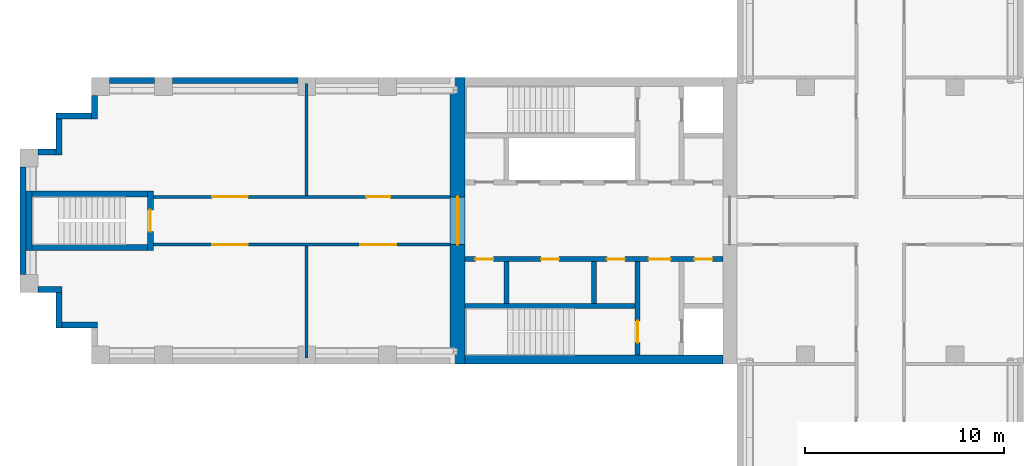
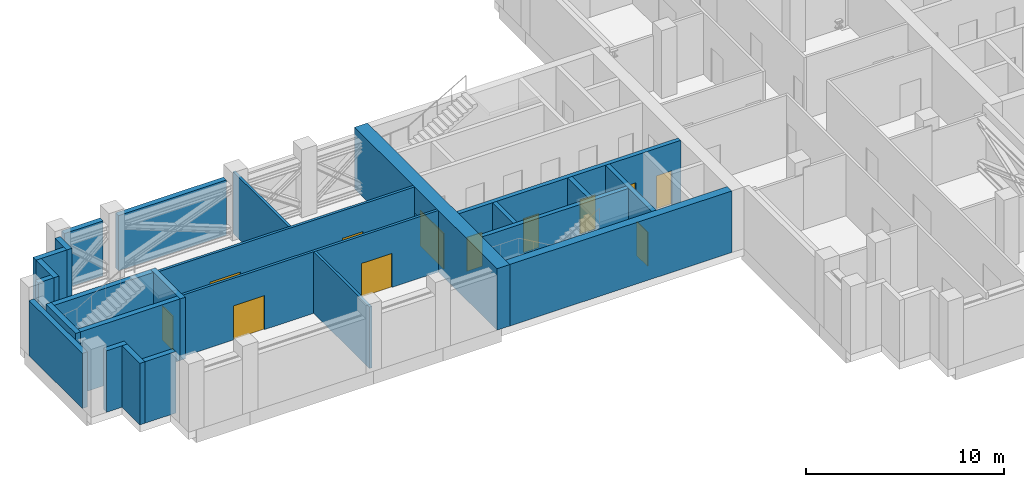
# One storey, part 3 of 9: 25 walls, 12 doors, 12 openings.
"""IFC4 building model written with IfcOpenShell, lengths in metres."""

from ifc_helpers import new_model, si_unit, direction, frame, frame_2d, origin, place, context, subcontext, project, spatial, rectangle, extrude, material, layer, layer_set, type_object, element, fill, save


model = new_model("IFC4")

# Units and contexts
model_context = context("Model", 3, precision=1e-05, world=origin(), true_north=direction((0.0, 1.0)))
body_context = subcontext(model_context, "Body", "Model", "MODEL_VIEW")
ifc_project = project(units=[si_unit("LENGTHUNIT", "METRE"), si_unit("AREAUNIT", "SQUARE_METRE"), si_unit("VOLUMEUNIT", "CUBIC_METRE"), si_unit("PLANEANGLEUNIT", "RADIAN"), si_unit("MASSUNIT", "GRAM", prefix="KILO")], contexts=[model_context])

# Site, building, storey
site_placement = place(None, origin())
site = spatial("IfcSite", under=ifc_project, at=site_placement, CompositionType="ELEMENT")
building_placement = place(site_placement, origin())
building = spatial("IfcBuilding", under=site, at=building_placement, Name="Fustian Cross Tower", CompositionType="ELEMENT")
storey_placement = place(building_placement, frame((0.0, 0.0, 162.300048828125)))
storey = spatial("IfcBuildingStorey", under=building, at=storey_placement, Name="L51", CompositionType="ELEMENT", Elevation=162.300048828125)

# Wall, openings, doors
ifc_material_1 = material(Name="Plasterboard on steel stud", Category="steel")
ifc_layer_1 = layer(ifc_material_1, 0.14990234375)
ifc_layer_set_1 = layer_set([ifc_layer_1], Name="Plasterboard on steel stud")
wall_type_1 = type_object("IfcWallType", Name="COMPARTMENT WALL 150 EI 60", PredefinedType="PARTITIONING", material=ifc_layer_set_1)
wall_1_placement = place(storey_placement, frame((-36.5, -1.199951171875, 0.0), z_axis=(0.0, 0.0, 1.0), x_axis=(1.0, 0.0, 0.0)))
wall_1 = element("IfcWall", 1, at=wall_1_placement, inside=storey, type_object=wall_type_1, Name="Partition 1", PredefinedType="PARTITIONING", context=body_context, shape_type="SweptSolid", body=[
    extrude(rectangle(XDim=14.89990234375, YDim=0.14990234375, at=frame_2d((7.449951171875, 0.0))), origin(), (0.0, 0.0, 1.0), 3.800048828125),
])
opening_1_placement = place(wall_1_placement, frame((10.39990234375, 0.0, 0.0)))
opening_1 = element("IfcOpeningElement", 2, at=opening_1_placement, cuts=wall_1, Name="Opening D23032", PredefinedType="OPENING", context=body_context, shape_type="SweptSolid", body=[
    extrude(rectangle(XDim=1.800048828125, YDim=2.10009765625, at=frame_2d((0.89990234375, 1.050048828125))), frame((0.0, 0.0849609375, 0.0), z_axis=(0.0, -1.0, 0.0), x_axis=(1.0, 0.0, 0.0)), (0.0, 0.0, 1.0), 0.169921875),
])
opening_2_placement = place(wall_1_placement, frame((2.949951171875, 0.0, 0.0)))
opening_2 = element("IfcOpeningElement", 3, at=opening_2_placement, cuts=wall_1, Name="Opening D23033", PredefinedType="OPENING", context=body_context, shape_type="SweptSolid", body=[
    extrude(rectangle(XDim=1.800048828125, YDim=2.10009765625, at=frame_2d((0.89990234375, 1.050048828125))), frame((0.0, 0.0849609375, 0.0), z_axis=(0.0, -1.0, 0.0), x_axis=(1.0, 0.0, 0.0)), (0.0, 0.0, 1.0), 0.169921875),
])
ifc_material_2 = material(Name="Timber fire door set", Category="wood")
door_type_1 = type_object("IfcDoorType", Name="FIRE DOUBLE DOOR 1800 FD60S", OperationType="DOUBLE_DOOR_DOUBLE_SWING", PredefinedType="DOOR", material=ifc_material_2)
door_1_placement = place(opening_1_placement, origin())
door_1 = element("IfcDoor", 4, at=door_1_placement, inside=storey, type_object=door_type_1, Name="Door D23032", OperationType="DOUBLE_DOOR_DOUBLE_SWING", OverallHeight=2.10009765625, OverallWidth=1.800048828125, PredefinedType="DOOR", context=body_context, shape_type="SweptSolid", body=[
    extrude(rectangle(XDim=1.800048828125, YDim=2.10009765625, at=frame_2d((0.89990234375, 1.050048828125))), frame((0.0, 0.02490234375, 0.0), z_axis=(0.0, -1.0, 0.0), x_axis=(1.0, 0.0, 0.0)), (0.0, 0.0, 1.0), 0.050048828125),
])
fill(opening_1, door_1)
door_2_placement = place(opening_2_placement, origin())
door_2 = element("IfcDoor", 5, at=door_2_placement, inside=storey, type_object=door_type_1, Name="Door D23033", OperationType="DOUBLE_DOOR_DOUBLE_SWING", OverallHeight=2.10009765625, OverallWidth=1.800048828125, PredefinedType="DOOR", context=body_context, shape_type="SweptSolid", body=[
    extrude(rectangle(XDim=1.800048828125, YDim=2.10009765625, at=frame_2d((0.89990234375, 1.050048828125))), frame((0.0, 0.02490234375, 0.0), z_axis=(0.0, -1.0, 0.0), x_axis=(1.0, 0.0, 0.0)), (0.0, 0.0, 1.0), 0.050048828125),
])
fill(opening_2, door_2)

wall_2_placement = place(storey_placement, frame((-36.5, 1.199951171875, 0.0), z_axis=(0.0, 0.0, 1.0), x_axis=(1.0, 0.0, 0.0)))
wall_2 = element("IfcWall", 6, at=wall_2_placement, inside=storey, type_object=wall_type_1, Name="Partition 2", PredefinedType="PARTITIONING", context=body_context, shape_type="SweptSolid", body=[
    extrude(rectangle(XDim=14.89990234375, YDim=0.14990234375, at=frame_2d((7.449951171875, 0.0))), origin(), (0.0, 0.0, 1.0), 3.800048828125),
])
opening_3_placement = place(wall_2_placement, frame((10.699951171875, 0.0, 0.0)))
opening_3 = element("IfcOpeningElement", 7, at=opening_3_placement, cuts=wall_2, Name="Opening D23034", PredefinedType="OPENING", context=body_context, shape_type="SweptSolid", body=[
    extrude(rectangle(XDim=1.199951171875, YDim=2.10009765625, at=frame_2d((0.60009765625, 1.050048828125))), frame((0.0, 0.0849609375, 0.0), z_axis=(0.0, -1.0, 0.0), x_axis=(1.0, 0.0, 0.0)), (0.0, 0.0, 1.0), 0.169921875),
])
opening_4_placement = place(wall_2_placement, frame((2.949951171875, 0.0, 0.0)))
opening_4 = element("IfcOpeningElement", 8, at=opening_4_placement, cuts=wall_2, Name="Opening D23035", PredefinedType="OPENING", context=body_context, shape_type="SweptSolid", body=[
    extrude(rectangle(XDim=1.800048828125, YDim=2.10009765625, at=frame_2d((0.89990234375, 1.050048828125))), frame((0.0, 0.0849609375, 0.0), z_axis=(0.0, -1.0, 0.0), x_axis=(1.0, 0.0, 0.0)), (0.0, 0.0, 1.0), 0.169921875),
])
door_3_placement = place(opening_4_placement, frame((1.800048828125, 0.0, 0.0), z_axis=(0.0, 0.0, 1.0), x_axis=(-1.0, 0.0, 0.0)))
door_3 = element("IfcDoor", 9, at=door_3_placement, inside=storey, type_object=door_type_1, Name="Door D23035", OperationType="DOUBLE_DOOR_DOUBLE_SWING", OverallHeight=2.10009765625, OverallWidth=1.800048828125, PredefinedType="DOOR", context=body_context, shape_type="SweptSolid", body=[
    extrude(rectangle(XDim=1.800048828125, YDim=2.10009765625, at=frame_2d((0.89990234375, 1.050048828125))), frame((0.0, 0.02490234375, 0.0), z_axis=(0.0, -1.0, 0.0), x_axis=(1.0, 0.0, 0.0)), (0.0, 0.0, 1.0), 0.050048828125),
])
fill(opening_4, door_3)
ifc_material_3 = material(Name="Timber fire door set", Category="wood")
door_type_2 = type_object("IfcDoorType", Name="FIRE SWING DOOR 1200 FD60S", OperationType="SINGLE_SWING_LEFT", PredefinedType="DOOR", material=ifc_material_3)
door_4_placement = place(opening_3_placement, origin())
door_4 = element("IfcDoor", 10, at=door_4_placement, inside=storey, type_object=door_type_2, Name="Door D23034", OperationType="SINGLE_SWING_LEFT", OverallHeight=2.10009765625, OverallWidth=1.199951171875, PredefinedType="DOOR", context=body_context, shape_type="SweptSolid", body=[
    extrude(rectangle(XDim=1.199951171875, YDim=2.10009765625, at=frame_2d((0.60009765625, 1.050048828125))), frame((0.0, 0.02490234375, 0.0), z_axis=(0.0, -1.0, 0.0), x_axis=(1.0, 0.0, 0.0)), (0.0, 0.0, 1.0), 0.050048828125),
])
fill(opening_3, door_4)

# Walls
for number, where, z_axis, x_axis, name in (
    (11, (-28.800048828125, -6.89990234375, 0.0), (0.0, 0.0, 1.0), (0.0, 1.0, 0.0), "Partition 3"),
    (12, (-28.800048828125, 1.27490234375, 0.0), (0.0, 0.0, 1.0), (0.0, 1.0, 0.0), "Partition 4"),
):
    element("IfcWall", number, at=place(storey_placement, frame(where, z_axis=z_axis, x_axis=x_axis)), inside=storey, type_object=wall_type_1, Name=name, PredefinedType="PARTITIONING", context=body_context, shape_type="SweptSolid", body=[
        extrude(rectangle(XDim=5.625, YDim=0.14990234375, at=frame_2d((2.8125, 0.0))), origin(), (0.0, 0.0, 1.0), 3.800048828125),
    ])

# Wall, opening, door
ifc_material_4 = material(Name="Concrete C60/75", Category="concrete")
ifc_layer_2 = layer(ifc_material_4, 0.75)
ifc_layer_set_2 = layer_set([ifc_layer_2], Name="Concrete C60/75")
wall_type_2 = type_object("IfcWallType", Name="CORE END WALL 750 C60/75", PredefinedType="SHEAR", material=ifc_layer_set_2)
wall_3_placement = place(storey_placement, frame((-21.22509765625, -7.199951171875, 0.0), z_axis=(0.0, 0.0, 1.0), x_axis=(0.0, 1.0, 0.0)))
wall_3 = element("IfcWall", 13, at=wall_3_placement, inside=storey, type_object=wall_type_2, Name="Core end wall", PredefinedType="SHEAR", context=body_context, shape_type="SweptSolid", body=[
    extrude(rectangle(XDim=14.39990234375, YDim=0.75, at=frame_2d((7.199951171875, 0.0))), origin(), (0.0, 0.0, 1.0), 3.800048828125),
])
opening_5_placement = place(wall_3_placement, frame((6.0, 0.0, 0.0)))
opening_5 = element("IfcOpeningElement", 14, at=opening_5_placement, cuts=wall_3, Name="Opening CD-20-30", PredefinedType="OPENING", context=body_context, shape_type="SweptSolid", body=[
    extrude(rectangle(XDim=2.39990234375, YDim=2.199951171875, at=frame_2d((1.199951171875, 1.10009765625))), frame((0.0, 0.385009765625, 0.0), z_axis=(0.0, -1.0, 0.0), x_axis=(1.0, 0.0, 0.0)), (0.0, 0.0, 1.0), 0.77001953125),
])
ifc_material_5 = material(Name="Steel", Category="steel")
door_type_3 = type_object("IfcDoorType", Name="FIRE DOOR FD30S DOUBLE 2400X2200", OperationType="DOUBLE_DOOR_DOUBLE_SWING", PredefinedType="DOOR", material=ifc_material_5)
door_5_placement = place(opening_5_placement, frame((2.39990234375, 0.0, 0.0), z_axis=(0.0, 0.0, 1.0), x_axis=(-1.0, 0.0, 0.0)))
door_5 = element("IfcDoor", 15, at=door_5_placement, inside=storey, type_object=door_type_3, Name="Core door CD-20-30", OperationType="DOUBLE_DOOR_DOUBLE_SWING", OverallHeight=2.199951171875, OverallWidth=2.39990234375, PredefinedType="DOOR", context=body_context, shape_type="SweptSolid", body=[
    extrude(rectangle(XDim=2.39990234375, YDim=2.199951171875, at=frame_2d((1.199951171875, 1.10009765625))), frame((0.0, 0.02490234375, 0.0), z_axis=(0.0, -1.0, 0.0), x_axis=(1.0, 0.0, 0.0)), (0.0, 0.0, 1.0), 0.050048828125),
])
fill(opening_5, door_5)

# Wall
ifc_material_6 = material(Name="Concrete C60/75", Category="concrete")
ifc_layer_3 = layer(ifc_material_6, 0.449951171875)
ifc_layer_set_3 = layer_set([ifc_layer_3], Name="Concrete C60/75")
wall_type_3 = type_object("IfcWallType", Name="CORE FACADE WALL 450 C60/75", PredefinedType="SHEAR", material=ifc_layer_set_3)
wall_4_placement = place(storey_placement, frame((-7.89990234375, -6.97509765625, 0.0), z_axis=(0.0, 0.0, 1.0), x_axis=(-1.0, 0.0, 0.0)))
element("IfcWall", 16, at=wall_4_placement, inside=storey, type_object=wall_type_3, Name="Core facade wall", PredefinedType="SHEAR", context=body_context, shape_type="SweptSolid", body=[
    extrude(rectangle(XDim=12.9501953125, YDim=0.449951171875, at=frame_2d((6.47509765625, 0.0))), origin(), (0.0, 0.0, 1.0), 3.800048828125),
])

# Wall, openings, doors
ifc_material_7 = material(Name="Concrete C50/60", Category="concrete")
ifc_layer_4 = layer(ifc_material_7, 0.25)
ifc_layer_set_4 = layer_set([ifc_layer_4], Name="Concrete C50/60")
wall_type_4 = type_object("IfcWallType", Name="CORE LOBBY WALL 250 C50/60", PredefinedType="SHEAR", material=ifc_layer_set_4)
wall_5_placement = place(storey_placement, frame((-7.89990234375, -1.925048828125, 0.0), z_axis=(0.0, 0.0, 1.0), x_axis=(-1.0, 0.0, 0.0)))
wall_5 = element("IfcWall", 17, at=wall_5_placement, inside=storey, type_object=wall_type_4, Name="Core lobby wall", PredefinedType="SHEAR", context=body_context, shape_type="SweptSolid", body=[
    extrude(rectangle(XDim=12.9501953125, YDim=0.25, at=frame_2d((6.47509765625, 0.0))), origin(), (0.0, 0.0, 1.0), 3.800048828125),
])
opening_6_placement = place(wall_5_placement, frame((0.52490234375, 0.0, 0.0)))
opening_6 = element("IfcOpeningElement", 18, at=opening_6_placement, cuts=wall_5, Name="Opening CD-20-26", PredefinedType="OPENING", context=body_context, shape_type="SweptSolid", body=[
    extrude(rectangle(XDim=0.89990234375, YDim=2.10009765625, at=frame_2d((0.449951171875, 1.050048828125))), frame((0.0, 0.135009765625, 0.0), z_axis=(0.0, -1.0, 0.0), x_axis=(1.0, 0.0, 0.0)), (0.0, 0.0, 1.0), 0.27001953125),
])
opening_7_placement = place(wall_5_placement, frame((2.625, 0.0, 0.0)))
opening_7 = element("IfcOpeningElement", 19, at=opening_7_placement, cuts=wall_5, Name="Opening CD-20-28", PredefinedType="OPENING", context=body_context, shape_type="SweptSolid", body=[
    extrude(rectangle(XDim=1.10009765625, YDim=2.10009765625, at=frame_2d((0.550048828125, 1.050048828125))), frame((0.0, 0.135009765625, 0.0), z_axis=(0.0, -1.0, 0.0), x_axis=(1.0, 0.0, 0.0)), (0.0, 0.0, 1.0), 0.27001953125),
])
opening_8_placement = place(wall_5_placement, frame((4.925048828125, 0.0, 0.0)))
opening_8 = element("IfcOpeningElement", 20, at=opening_8_placement, cuts=wall_5, Name="Opening CD-20-32", PredefinedType="OPENING", context=body_context, shape_type="SweptSolid", body=[
    extrude(rectangle(XDim=0.89990234375, YDim=2.10009765625, at=frame_2d((0.449951171875, 1.050048828125))), frame((0.0, 0.135009765625, 0.0), z_axis=(0.0, -1.0, 0.0), x_axis=(1.0, 0.0, 0.0)), (0.0, 0.0, 1.0), 0.27001953125),
])
opening_9_placement = place(wall_5_placement, frame((8.22509765625, 0.0, 0.0)))
opening_9 = element("IfcOpeningElement", 21, at=opening_9_placement, cuts=wall_5, Name="Opening CD-20-33", PredefinedType="OPENING", context=body_context, shape_type="SweptSolid", body=[
    extrude(rectangle(XDim=0.89990234375, YDim=2.10009765625, at=frame_2d((0.449951171875, 1.050048828125))), frame((0.0, 0.135009765625, 0.0), z_axis=(0.0, -1.0, 0.0), x_axis=(1.0, 0.0, 0.0)), (0.0, 0.0, 1.0), 0.27001953125),
])
opening_10_placement = place(wall_5_placement, frame((11.52490234375, 0.0, 0.0)))
opening_10 = element("IfcOpeningElement", 22, at=opening_10_placement, cuts=wall_5, Name="Opening CD-20-34", PredefinedType="OPENING", context=body_context, shape_type="SweptSolid", body=[
    extrude(rectangle(XDim=0.89990234375, YDim=2.10009765625, at=frame_2d((0.449951171875, 1.050048828125))), frame((0.0, 0.135009765625, 0.0), z_axis=(0.0, -1.0, 0.0), x_axis=(1.0, 0.0, 0.0)), (0.0, 0.0, 1.0), 0.27001953125),
])
ifc_material_8 = material(Name="Steel", Category="steel")
door_type_4 = type_object("IfcDoorType", Name="FIRE DOOR FD30S 1100X2100", OperationType="SINGLE_SWING_LEFT", PredefinedType="DOOR", material=ifc_material_8)
door_6_placement = place(opening_7_placement, frame((1.10009765625, 0.0, 0.0), z_axis=(0.0, 0.0, 1.0), x_axis=(-1.0, 0.0, 0.0)))
door_6 = element("IfcDoor", 23, at=door_6_placement, inside=storey, type_object=door_type_4, Name="Core door CD-20-28", OperationType="SINGLE_SWING_RIGHT", OverallHeight=2.10009765625, OverallWidth=1.10009765625, PredefinedType="DOOR", context=body_context, shape_type="SweptSolid", body=[
    extrude(rectangle(XDim=1.10009765625, YDim=2.10009765625, at=frame_2d((0.550048828125, 1.050048828125))), frame((0.0, 0.02490234375, 0.0), z_axis=(0.0, -1.0, 0.0), x_axis=(1.0, 0.0, 0.0)), (0.0, 0.0, 1.0), 0.050048828125),
])
fill(opening_7, door_6)
ifc_material_9 = material(Name="Steel", Category="steel")
door_type_5 = type_object("IfcDoorType", Name="FIRE DOOR FD30S 900X2100", OperationType="SINGLE_SWING_LEFT", PredefinedType="DOOR", material=ifc_material_9)
door_7_placement = place(opening_6_placement, origin())
door_7 = element("IfcDoor", 24, at=door_7_placement, inside=storey, type_object=door_type_5, Name="Core door CD-20-26", OperationType="SINGLE_SWING_LEFT", OverallHeight=2.10009765625, OverallWidth=0.89990234375, PredefinedType="DOOR", context=body_context, shape_type="SweptSolid", body=[
    extrude(rectangle(XDim=0.89990234375, YDim=2.10009765625, at=frame_2d((0.449951171875, 1.050048828125))), frame((0.0, 0.02490234375, 0.0), z_axis=(0.0, -1.0, 0.0), x_axis=(1.0, 0.0, 0.0)), (0.0, 0.0, 1.0), 0.050048828125),
])
fill(opening_6, door_7)
door_8_placement = place(opening_8_placement, origin())
door_8 = element("IfcDoor", 25, at=door_8_placement, inside=storey, type_object=door_type_5, Name="Core door CD-20-32", OperationType="SINGLE_SWING_LEFT", OverallHeight=2.10009765625, OverallWidth=0.89990234375, PredefinedType="DOOR", context=body_context, shape_type="SweptSolid", body=[
    extrude(rectangle(XDim=0.89990234375, YDim=2.10009765625, at=frame_2d((0.449951171875, 1.050048828125))), frame((0.0, 0.02490234375, 0.0), z_axis=(0.0, -1.0, 0.0), x_axis=(1.0, 0.0, 0.0)), (0.0, 0.0, 1.0), 0.050048828125),
])
fill(opening_8, door_8)
door_9_placement = place(opening_9_placement, origin())
door_9 = element("IfcDoor", 26, at=door_9_placement, inside=storey, type_object=door_type_5, Name="Core door CD-20-33", OperationType="SINGLE_SWING_RIGHT", OverallHeight=2.10009765625, OverallWidth=0.89990234375, PredefinedType="DOOR", context=body_context, shape_type="SweptSolid", body=[
    extrude(rectangle(XDim=0.89990234375, YDim=2.10009765625, at=frame_2d((0.449951171875, 1.050048828125))), frame((0.0, 0.02490234375, 0.0), z_axis=(0.0, -1.0, 0.0), x_axis=(1.0, 0.0, 0.0)), (0.0, 0.0, 1.0), 0.050048828125),
])
fill(opening_9, door_9)
door_10_placement = place(opening_10_placement, origin())
door_10 = element("IfcDoor", 27, at=door_10_placement, inside=storey, type_object=door_type_5, Name="Core door CD-20-34", OperationType="SINGLE_SWING_LEFT", OverallHeight=2.10009765625, OverallWidth=0.89990234375, PredefinedType="DOOR", context=body_context, shape_type="SweptSolid", body=[
    extrude(rectangle(XDim=0.89990234375, YDim=2.10009765625, at=frame_2d((0.449951171875, 1.050048828125))), frame((0.0, 0.02490234375, 0.0), z_axis=(0.0, -1.0, 0.0), x_axis=(1.0, 0.0, 0.0)), (0.0, 0.0, 1.0), 0.050048828125),
])
fill(opening_10, door_10)

# Wall
ifc_material_10 = material(Name="Concrete C50/60", Category="concrete")
ifc_layer_5 = layer(ifc_material_10, 0.25)
ifc_layer_set_5 = layer_set([ifc_layer_5], Name="Concrete C50/60")
wall_type_5 = type_object("IfcWallType", Name="CORE SHAFT WALL 250 C50/60", PredefinedType="SHEAR", material=ifc_layer_set_5)
wall_6_placement = place(storey_placement, frame((-12.300048828125, -4.27490234375, 0.0), z_axis=(0.0, 0.0, 1.0), x_axis=(-1.0, 0.0, 0.0)))
element("IfcWall", 28, at=wall_6_placement, inside=storey, type_object=wall_type_5, Name="Core shaft wall", PredefinedType="SHEAR", context=body_context, shape_type="SweptSolid", body=[
    extrude(rectangle(XDim=8.550048828125, YDim=0.25, at=frame_2d((4.27490234375, 0.0))), origin(), (0.0, 0.0, 1.0), 3.800048828125),
])

# Wall, opening, door
wall_7_placement = place(storey_placement, frame((-12.175048828125, -2.050048828125, 0.0), z_axis=(0.0, 0.0, 1.0), x_axis=(0.0, -1.0, 0.0)))
wall_7 = element("IfcWall", 29, at=wall_7_placement, inside=storey, type_object=wall_type_5, Name="Core shaft wall", PredefinedType="SHEAR", context=body_context, shape_type="SweptSolid", body=[
    extrude(rectangle(XDim=4.699951171875, YDim=0.25, at=frame_2d((2.35009765625, 0.0))), origin(), (0.0, 0.0, 1.0), 3.800048828125),
])
opening_11_placement = place(wall_7_placement, frame((2.97509765625, 0.0, 0.0)))
opening_11 = element("IfcOpeningElement", 30, at=opening_11_placement, cuts=wall_7, Name="Opening CD-20-24", PredefinedType="OPENING", context=body_context, shape_type="SweptSolid", body=[
    extrude(rectangle(XDim=1.10009765625, YDim=2.10009765625, at=frame_2d((0.550048828125, 1.050048828125))), frame((0.0, 0.135009765625, 0.0), z_axis=(0.0, -1.0, 0.0), x_axis=(1.0, 0.0, 0.0)), (0.0, 0.0, 1.0), 0.27001953125),
])
ifc_material_11 = material(Name="Steel", Category="steel")
door_type_6 = type_object("IfcDoorType", Name="FIRE DOOR FD60S 1100X2100", OperationType="SINGLE_SWING_LEFT", PredefinedType="DOOR", material=ifc_material_11)
door_11_placement = place(opening_11_placement, frame((1.10009765625, 0.0, 0.0), z_axis=(0.0, 0.0, 1.0), x_axis=(-1.0, 0.0, 0.0)))
door_11 = element("IfcDoor", 31, at=door_11_placement, inside=storey, type_object=door_type_6, Name="Core door CD-20-24", OperationType="SINGLE_SWING_RIGHT", OverallHeight=2.10009765625, OverallWidth=1.10009765625, PredefinedType="DOOR", context=body_context, shape_type="SweptSolid", body=[
    extrude(rectangle(XDim=1.10009765625, YDim=2.10009765625, at=frame_2d((0.550048828125, 1.050048828125))), frame((0.0, 0.02490234375, 0.0), z_axis=(0.0, -1.0, 0.0), x_axis=(1.0, 0.0, 0.0)), (0.0, 0.0, 1.0), 0.050048828125),
])
fill(opening_11, door_11)

# Walls
ifc_material_12 = material(Name="Concrete C40/50", Category="concrete")
ifc_layer_6 = layer(ifc_material_12, 0.25)
ifc_layer_set_6 = layer_set([ifc_layer_6], Name="Concrete C40/50")
wall_type_6 = type_object("IfcWallType", Name="SHAFT PARTITION WALL 250 C40/50", PredefinedType="PARTITIONING", material=ifc_layer_set_6)
for number, where, z_axis, x_axis, name in (
    (32, (-14.375, -2.050048828125, 0.0), (0.0, 0.0, 1.0), (0.0, -1.0, 0.0), "Core shaft wall"),
    (33, (-18.77490234375, -2.050048828125, 0.0), (0.0, 0.0, 1.0), (0.0, -1.0, 0.0), "Core shaft wall"),
):
    element("IfcWall", number, at=place(storey_placement, frame(where, z_axis=z_axis, x_axis=x_axis)), inside=storey, type_object=wall_type_6, Name=name, PredefinedType="PARTITIONING", context=body_context, shape_type="SweptSolid", body=[
        extrude(rectangle(XDim=2.099853515625, YDim=0.25, at=frame_2d((1.0498046875, 0.0))), origin(), (0.0, 0.0, 1.0), 3.800048828125),
    ])

# Wall, opening, door
ifc_material_13 = material(Name="Concrete C50/60", Category="concrete")
ifc_layer_7 = layer(ifc_material_13, 0.300048828125)
ifc_layer_set_7 = layer_set([ifc_layer_7], Name="Concrete C50/60")
wall_type_7 = type_object("IfcWallType", Name="STAIR ENCLOSURE WALL 300 C50/60", PredefinedType="SHEAR", material=ifc_layer_set_7)
wall_8_placement = place(storey_placement, frame((-36.64990234375, -1.5, 0.0), z_axis=(0.0, 0.0, 1.0), x_axis=(0.0, 1.0, 0.0)))
wall_8 = element("IfcWall", 34, at=wall_8_placement, inside=storey, type_object=wall_type_7, Name="Stair enclosure wall", PredefinedType="SHEAR", context=body_context, shape_type="SweptSolid", body=[
    extrude(rectangle(XDim=3.0, YDim=0.300048828125, at=frame_2d((1.5, 0.0))), origin(), (0.0, 0.0, 1.0), 3.800048828125),
])
opening_12_placement = place(wall_8_placement, frame((0.949951171875, 0.0, 0.0)))
opening_12 = element("IfcOpeningElement", 35, at=opening_12_placement, cuts=wall_8, Name="Opening CD-20-36", PredefinedType="OPENING", context=body_context, shape_type="SweptSolid", body=[
    extrude(rectangle(XDim=1.10009765625, YDim=2.10009765625, at=frame_2d((0.550048828125, 1.050048828125))), frame((0.0, 0.159912109375, 0.0), z_axis=(0.0, -1.0, 0.0), x_axis=(1.0, 0.0, 0.0)), (0.0, 0.0, 1.0), 0.320068359375),
])
door_12_placement = place(opening_12_placement, origin())
door_12 = element("IfcDoor", 36, at=door_12_placement, inside=storey, type_object=door_type_6, Name="Core door CD-20-36", OperationType="SINGLE_SWING_LEFT", OverallHeight=2.10009765625, OverallWidth=1.10009765625, PredefinedType="DOOR", context=body_context, shape_type="SweptSolid", body=[
    extrude(rectangle(XDim=1.10009765625, YDim=2.10009765625, at=frame_2d((0.550048828125, 1.050048828125))), frame((0.0, 0.02490234375, 0.0), z_axis=(0.0, -1.0, 0.0), x_axis=(1.0, 0.0, 0.0)), (0.0, 0.0, 1.0), 0.050048828125),
])
fill(opening_12, door_12)

# Walls
wall_9_placement = place(storey_placement, frame((-42.75, -1.5, 0.0), z_axis=(0.0, 0.0, 1.0), x_axis=(0.0, 1.0, 0.0)))
element("IfcWall", 37, at=wall_9_placement, inside=storey, type_object=wall_type_7, Name="Stair enclosure wall", PredefinedType="SHEAR", context=body_context, shape_type="SweptSolid", body=[
    extrude(rectangle(XDim=3.0, YDim=0.300048828125, at=frame_2d((1.5, 0.0))), origin(), (0.0, 0.0, 1.0), 3.800048828125),
])
for number, where, z_axis, x_axis, name in (
    (38, (-36.800048828125, -1.35009765625, 0.0), (0.0, 0.0, 1.0), (-1.0, 0.0, 0.0), "Stair enclosure wall"),
    (39, (-36.800048828125, 1.35009765625, 0.0), (0.0, 0.0, 1.0), (-1.0, 0.0, 0.0), "Stair enclosure wall"),
):
    element("IfcWall", number, at=place(storey_placement, frame(where, z_axis=z_axis, x_axis=x_axis)), inside=storey, type_object=wall_type_7, Name=name, PredefinedType="SHEAR", context=body_context, shape_type="SweptSolid", body=[
        extrude(rectangle(XDim=5.800048828125, YDim=0.300048828125, at=frame_2d((2.89990234375, 0.0))), origin(), (0.0, 0.0, 1.0), 3.800048828125),
    ])
ifc_material_14 = material(Name="Dark aluminium louvres on insulated backing wall", Category="aluminium")
ifc_layer_8 = layer(ifc_material_14, 0.300048828125)
ifc_layer_set_8 = layer_set([ifc_layer_8], Name="Dark aluminium louvres on insulated backing wall")
wall_type_8 = type_object("IfcWallType", Name="XW2 LOUVRED PLANT WALL 300", PredefinedType="SOLIDWALL", material=ifc_layer_set_8)
wall_10_placement = place(storey_placement, frame((-29.25, 7.050048828125, 0.0), z_axis=(0.0, 0.0, 1.0), x_axis=(-1.0, 0.0, 0.0)))
element("IfcWall", 40, at=wall_10_placement, inside=storey, type_object=wall_type_8, Name="Plant louvre wall", PredefinedType="SOLIDWALL", context=body_context, shape_type="SweptSolid", body=[
    extrude(rectangle(XDim=6.300048828125, YDim=0.300048828125, at=frame_2d((3.14990234375, 0.0))), origin(), (0.0, 0.0, 1.0), 3.39990234375),
])
wall_11_placement = place(storey_placement, frame((-36.449951171875, 7.050048828125, 0.0), z_axis=(0.0, 0.0, 1.0), x_axis=(-1.0, 0.0, 0.0)))
element("IfcWall", 41, at=wall_11_placement, inside=storey, type_object=wall_type_8, Name="Plant louvre wall", PredefinedType="SOLIDWALL", context=body_context, shape_type="SweptSolid", body=[
    extrude(rectangle(XDim=2.25, YDim=0.300048828125, at=frame_2d((1.125, 0.0))), origin(), (0.0, 0.0, 1.0), 3.39990234375),
])
wall_12_placement = place(storey_placement, frame((-39.449951171875, 6.300048828125, 0.0), z_axis=(0.0, 0.0, 1.0), x_axis=(0.0, -1.0, 0.0)))
element("IfcWall", 42, at=wall_12_placement, inside=storey, type_object=wall_type_8, Name="Plant louvre wall", PredefinedType="SOLIDWALL", context=body_context, shape_type="SweptSolid", body=[
    extrude(rectangle(XDim=1.199951171875, YDim=0.300048828125, at=frame_2d((0.60009765625, 0.0))), origin(), (0.0, 0.0, 1.0), 3.800048828125),
])
wall_13_placement = place(storey_placement, frame((-39.60009765625, 5.25, 0.0), z_axis=(0.0, 0.0, 1.0), x_axis=(-1.0, 0.0, 0.0)))
element("IfcWall", 43, at=wall_13_placement, inside=storey, type_object=wall_type_8, Name="Plant louvre wall", PredefinedType="SOLIDWALL", context=body_context, shape_type="SweptSolid", body=[
    extrude(rectangle(XDim=1.7998046875, YDim=0.300048828125, at=frame_2d((0.89990234375, 0.0))), origin(), (0.0, 0.0, 1.0), 3.800048828125),
])
wall_14_placement = place(storey_placement, frame((-41.25, 5.10009765625, 0.0), z_axis=(0.0, 0.0, 1.0), x_axis=(0.0, -1.0, 0.0)))
element("IfcWall", 44, at=wall_14_placement, inside=storey, type_object=wall_type_8, Name="Plant louvre wall", PredefinedType="SOLIDWALL", context=body_context, shape_type="SweptSolid", body=[
    extrude(rectangle(XDim=1.800048828125, YDim=0.300048828125, at=frame_2d((0.89990234375, 0.0))), origin(), (0.0, 0.0, 1.0), 3.800048828125),
])
wall_15_placement = place(storey_placement, frame((-41.39990234375, 3.449951171875, 0.0), z_axis=(0.0, 0.0, 1.0), x_axis=(-1.0, 0.0, 0.0)))
element("IfcWall", 45, at=wall_15_placement, inside=storey, type_object=wall_type_8, Name="Plant louvre wall", PredefinedType="SOLIDWALL", context=body_context, shape_type="SweptSolid", body=[
    extrude(rectangle(XDim=0.900146484375, YDim=0.300048828125, at=frame_2d((0.4501953125, 0.0))), origin(), (0.0, 0.0, 1.0), 3.800048828125),
])
wall_16_placement = place(storey_placement, frame((-43.050048828125, 2.699951171875, 0.0), z_axis=(0.0, 0.0, 1.0), x_axis=(0.0, -1.0, 0.0)))
element("IfcWall", 46, at=wall_16_placement, inside=storey, type_object=wall_type_8, Name="Plant louvre wall", PredefinedType="SOLIDWALL", context=body_context, shape_type="SweptSolid", body=[
    extrude(rectangle(XDim=5.39990234375, YDim=0.300048828125, at=frame_2d((2.699951171875, 0.0))), origin(), (0.0, 0.0, 1.0), 3.39990234375),
])
wall_17_placement = place(storey_placement, frame((-42.300048828125, -3.449951171875, 0.0), z_axis=(0.0, 0.0, 1.0), x_axis=(1.0, 0.0, 0.0)))
element("IfcWall", 47, at=wall_17_placement, inside=storey, type_object=wall_type_8, Name="Plant louvre wall", PredefinedType="SOLIDWALL", context=body_context, shape_type="SweptSolid", body=[
    extrude(rectangle(XDim=1.199951171875, YDim=0.300048828125, at=frame_2d((0.60009765625, 0.0))), origin(), (0.0, 0.0, 1.0), 3.800048828125),
])
wall_18_placement = place(storey_placement, frame((-41.25, -3.60009765625, 0.0), z_axis=(0.0, 0.0, 1.0), x_axis=(0.0, -1.0, 0.0)))
element("IfcWall", 48, at=wall_18_placement, inside=storey, type_object=wall_type_8, Name="Plant louvre wall", PredefinedType="SOLIDWALL", context=body_context, shape_type="SweptSolid", body=[
    extrude(rectangle(XDim=1.7998046875, YDim=0.300048828125, at=frame_2d((0.89990234375, 0.0))), origin(), (0.0, 0.0, 1.0), 3.800048828125),
])
wall_19_placement = place(storey_placement, frame((-41.10009765625, -5.25, 0.0), z_axis=(0.0, 0.0, 1.0), x_axis=(1.0, 0.0, 0.0)))
element("IfcWall", 49, at=wall_19_placement, inside=storey, type_object=wall_type_8, Name="Plant louvre wall", PredefinedType="SOLIDWALL", context=body_context, shape_type="SweptSolid", body=[
    extrude(rectangle(XDim=1.800048828125, YDim=0.300048828125, at=frame_2d((0.89990234375, 0.0))), origin(), (0.0, 0.0, 1.0), 3.800048828125),
])

save(model, "model.ifc")
